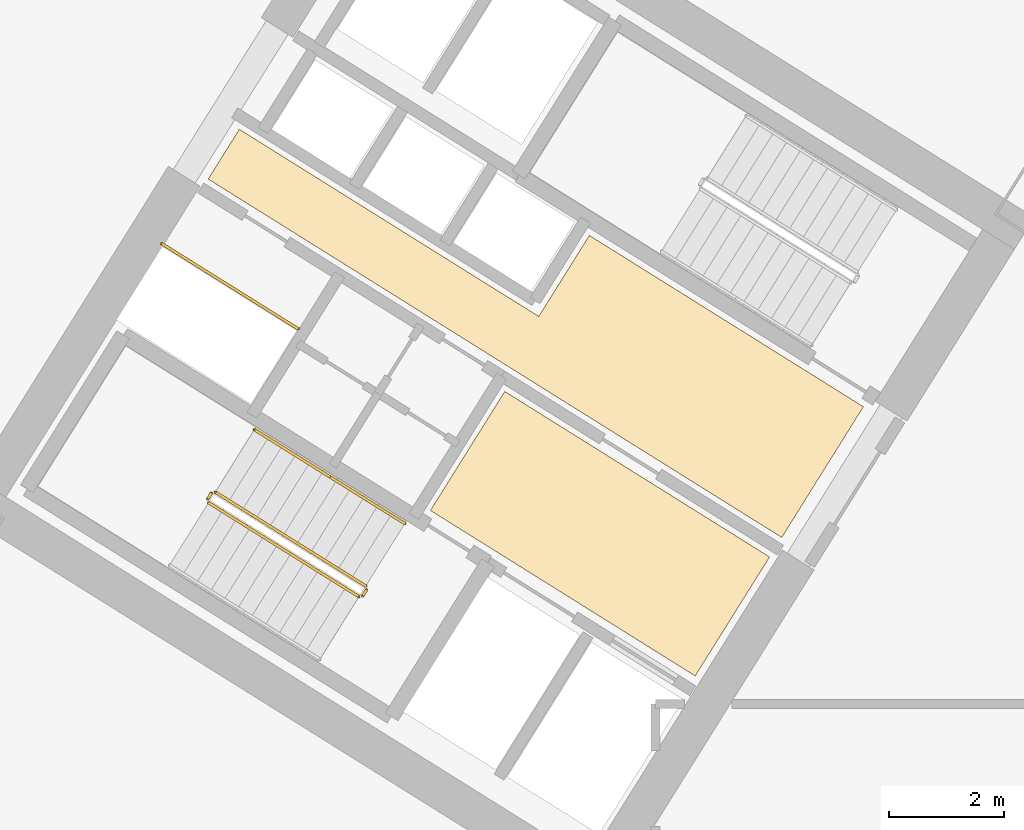
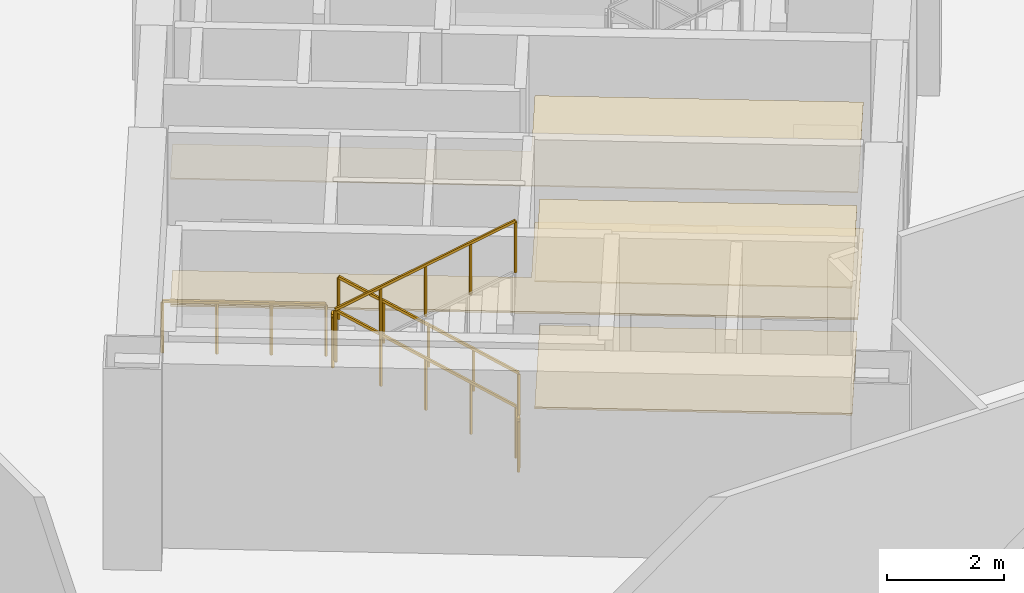
# One storey, part 18 of 22: 7 railings, 4 coverings.
"""IFC4 building model written with IfcOpenShell, lengths in metres."""

from ifc_helpers import new_model, si_unit, direction, frame, origin, origin_2d, place, context, subcontext, project, spatial, polyline, rectangle, outline, extrude, source, transform, mapped, material, layer, layer_set, type_object, element, save


model = new_model("IFC4")

# Units and contexts
model_context = context("Model", 3, precision=1e-05, world=origin(), true_north=direction((0.0, 1.0)))
body_context = subcontext(model_context, "Body", "Model", "MODEL_VIEW")
ifc_project = project(units=[si_unit("LENGTHUNIT", "METRE"), si_unit("AREAUNIT", "SQUARE_METRE"), si_unit("VOLUMEUNIT", "CUBIC_METRE"), si_unit("PLANEANGLEUNIT", "RADIAN"), si_unit("MASSUNIT", "GRAM", prefix="KILO")], contexts=[model_context])

# Site, building, storey
site_placement = place(None, origin())
site = spatial("IfcSite", under=ifc_project, at=site_placement, CompositionType="ELEMENT")
building_placement = place(site_placement, origin())
building = spatial("IfcBuilding", under=site, at=building_placement, Name="Tlacorven Tower", CompositionType="ELEMENT")
storey_placement = place(building_placement, frame((0.0, 0.0, 14.39990234375)))
storey = spatial("IfcBuildingStorey", under=building, at=storey_placement, Name="L03", CompositionType="ELEMENT", Elevation=14.39990234375)

# Coverings
ifc_material_1 = material(Name="Acoustic mineral-fibre ceiling")
ifc_layer_1 = layer(ifc_material_1, 0.02490234375)
ifc_layer_set_1 = layer_set([ifc_layer_1], Name="Acoustic mineral-fibre ceiling")
covering_type_1 = type_object("IfcCoveringType", Name="CV-CLG-ACST", PredefinedType="CEILING", material=ifc_layer_set_1)
covering_1_placement = place(storey_placement, frame((0.0, 0.0, 2.650146484375)))
element("IfcCovering", 1, at=covering_1_placement, inside=storey, type_object=covering_type_1, Name="L03 Acoustic Suspended Ceiling 1", PredefinedType="CEILING", context=body_context, shape_type="SweptSolid", body=[
    extrude(outline(polyline([(36.185302734375, 18.35595703125), (34.892333984375, 16.286865234375), (30.287353515625, 19.164306640625), (31.580322265625, 21.2333984375), (36.185302734375, 18.35595703125)])), origin(), (0.0, 0.0, 1.0), 0.02490234375),
])
covering_2_placement = place(storey_placement, frame((0.0, 0.0, 2.650146484375)))
element("IfcCovering", 2, at=covering_2_placement, inside=storey, type_object=covering_type_1, Name="L03 Acoustic Suspended Ceiling 2", PredefinedType="CEILING", context=body_context, shape_type="SweptSolid", body=[
    extrude(outline(polyline([(37.8173828125, 20.968017578125), (36.397216796875, 18.6953125), (26.424072265625, 24.927001953125), (26.964599609375, 25.7919921875), (32.171630859375, 22.538330078125), (33.05126953125, 23.946044921875), (37.8173828125, 20.968017578125)])), origin(), (0.0, 0.0, 1.0), 0.02490234375),
])
ifc_material_2 = material(Name="Terrazzo and ceramic flooring")
ifc_layer_2 = layer(ifc_material_2, 0.0400390625)
ifc_layer_set_2 = layer_set([ifc_layer_2], Name="Terrazzo and ceramic flooring")
covering_type_2 = type_object("IfcCoveringType", Name="CV-FLR-TERZ", PredefinedType="FLOORING", material=ifc_layer_set_2)
covering_3_placement = place(storey_placement, origin())
element("IfcCovering", 3, at=covering_3_placement, inside=storey, type_object=covering_type_2, Name="L03 Terrazzo Floor Finish 1", PredefinedType="FLOORING", context=body_context, shape_type="SweptSolid", body=[
    extrude(outline(polyline([(36.185302734375, 18.35595703125), (34.892333984375, 16.286865234375), (30.287353515625, 19.164306640625), (31.580322265625, 21.2333984375), (36.185302734375, 18.35595703125)])), origin(), (0.0, 0.0, 1.0), 0.0400390625),
])
covering_4_placement = place(storey_placement, origin())
element("IfcCovering", 4, at=covering_4_placement, inside=storey, type_object=covering_type_2, Name="L03 Terrazzo Floor Finish 2", PredefinedType="FLOORING", context=body_context, shape_type="SweptSolid", body=[
    extrude(outline(polyline([(37.8173828125, 20.968017578125), (36.397216796875, 18.6953125), (26.424072265625, 24.927001953125), (26.964599609375, 25.7919921875), (32.171630859375, 22.538330078125), (33.05126953125, 23.946044921875), (37.8173828125, 20.968017578125)])), origin(), (0.0, 0.0, 1.0), 0.0400390625),
])

# Railings
ifc_material_3 = material(Name="Aluminium and painted steel balustrade", Category="steel")
railing_type_1 = type_object("IfcRailingType", Name="RL-GRD-1100", PredefinedType="GUARDRAIL", material=ifc_material_3)
shared_shape_1 = source(origin(), body_context, "Body", "SweptSolid", [
    extrude(rectangle(XDim=0.048095703125, YDim=0.048095703125, at=origin_2d()), frame((0.0, 0.0, 1.076171875), z_axis=(-0.848091358275, 0.529850024081, 0.0), x_axis=(-0.529850024081, -0.848091358275, 0.0)), (0.0, 0.0, 1.0), 2.800048828125),
    extrude(rectangle(XDim=0.0419921875, YDim=0.0419921875, at=origin_2d()), origin(), (0.0, 0.0, 1.0), 1.052001953125),
    extrude(rectangle(XDim=0.0419921875, YDim=0.0419921875, at=origin_2d()), frame((-0.79150390625, 0.49462890625, 0.0)), (0.0, 0.0, 1.0), 1.052001953125),
    extrude(rectangle(XDim=0.0419921875, YDim=0.0419921875, at=origin_2d()), frame((-1.583251953125, 0.989013671875, 0.0)), (0.0, 0.0, 1.0), 1.052001953125),
    extrude(rectangle(XDim=0.0419921875, YDim=0.0419921875, at=origin_2d()), frame((-2.374755859375, 1.483642578125, 0.0)), (0.0, 0.0, 1.0), 1.052001953125),
])
railing_1_placement = place(storey_placement, frame((27.9912109375, 22.32080078125, 0.0)))
element("IfcRailing", 5, at=railing_1_placement, inside=storey, type_object=railing_type_1, Name="L03 Electrical Riser W Shaft Guard 1", PredefinedType="GUARDRAIL", context=body_context, shape_type="MappedRepresentation", body=[
    mapped(shared_shape_1, transform((0.0, 0.0, 0.0), scale=1.0)),
])
shared_shape_2 = source(origin(), body_context, "Body", "SweptSolid", [
    extrude(rectangle(XDim=0.048095703125, YDim=0.048095703125, at=origin_2d()), frame((0.0, 0.0, 1.076171875), z_axis=(-0.529084052582, -0.848569422795, 0.0), x_axis=(0.848569422795, -0.529084052582, 0.0)), (0.0, 0.0, 1.0), 0.119873046875),
    extrude(rectangle(XDim=0.0419921875, YDim=0.0419921875, at=origin_2d()), origin(), (0.0, 0.0, 1.0), 1.052001953125),
    extrude(rectangle(XDim=0.0419921875, YDim=0.0419921875, at=origin_2d()), frame((-0.0634765625, -0.101806640625, 0.0)), (0.0, 0.0, 1.0), 1.052001953125),
])
for number, where, name in (
    (6, (26.479736328125, 19.468017578125, 2.10009765625), "L03 ST-W1 stair guard 2"),
    (7, (29.176513671875, 17.782958984375, 0.0), "L03 ST-W1 stair guard 4"),
):
    element("IfcRailing", number, at=place(storey_placement, frame(where)), inside=storey, type_object=railing_type_1, Name=name, PredefinedType="GUARDRAIL", context=body_context, shape_type="MappedRepresentation", body=[
        mapped(shared_shape_2, transform((0.0, 0.0, 0.0), scale=1.0)),
    ])
shared_shape_3 = source(origin(), body_context, "Body", "SweptSolid", [
    extrude(rectangle(XDim=0.048095703125, YDim=0.048095703125, at=origin_2d()), frame((0.0, 0.0, 1.076171875), z_axis=(-0.719121732904, 0.449367057811, 0.530031301547), x_axis=(-0.52992768316, -0.848042835369, 0.0)), (0.0, 0.0, 1.0), 3.6318359375),
    extrude(rectangle(XDim=0.0419921875, YDim=0.0419921875, at=origin_2d()), origin(), (0.0, 0.0, 1.0), 1.052001953125),
    extrude(rectangle(XDim=0.0419921875, YDim=0.0419921875, at=origin_2d()), frame((-0.65283203125, 0.407958984375, 0.481201171875)), (0.0, 0.0, 1.0), 1.052001953125),
    extrude(rectangle(XDim=0.0419921875, YDim=0.0419921875, at=origin_2d()), frame((-1.305908203125, 0.81591796875, 0.96240234375)), (0.0, 0.0, 1.0), 1.052001953125),
    extrude(rectangle(XDim=0.0419921875, YDim=0.0419921875, at=origin_2d()), frame((-1.958984375, 1.22412109375, 1.44384765625)), (0.0, 0.0, 1.0), 1.052001953125),
    extrude(rectangle(XDim=0.0419921875, YDim=0.0419921875, at=origin_2d()), frame((-2.61181640625, 1.632080078125, 1.925048828125)), (0.0, 0.0, 1.0), 1.052001953125),
])
railing_2_placement = place(storey_placement, frame((29.16064453125, 17.851806640625, 0.175048828125)))
element("IfcRailing", 8, at=railing_2_placement, inside=storey, type_object=railing_type_1, Name="L03 ST-W1 stair guard 1", PredefinedType="GUARDRAIL", context=body_context, shape_type="MappedRepresentation", body=[
    mapped(shared_shape_3, transform((0.0, 0.0, 0.0), scale=1.0)),
])
shared_shape_4 = source(origin(), body_context, "Body", "SweptSolid", [
    extrude(rectangle(XDim=0.048095703125, YDim=0.048095703125, at=origin_2d()), frame((0.0, 0.0, 1.076171875), z_axis=(0.719154188762, -0.449345336188, 0.530005680754), x_axis=(0.52989206052, 0.848065094316, 0.0)), (0.0, 0.0, 1.0), 3.632080078125),
    extrude(rectangle(XDim=0.0419921875, YDim=0.0419921875, at=origin_2d()), origin(), (0.0, 0.0, 1.0), 1.052001953125),
    extrude(rectangle(XDim=0.0419921875, YDim=0.0419921875, at=origin_2d()), frame((0.653076171875, -0.407958984375, 0.481201171875)), (0.0, 0.0, 1.0), 1.052001953125),
    extrude(rectangle(XDim=0.0419921875, YDim=0.0419921875, at=origin_2d()), frame((1.30615234375, -0.81591796875, 0.96240234375)), (0.0, 0.0, 1.0), 1.052001953125),
    extrude(rectangle(XDim=0.0419921875, YDim=0.0419921875, at=origin_2d()), frame((1.958984375, -1.22412109375, 1.44384765625)), (0.0, 0.0, 1.0), 1.052001953125),
    extrude(rectangle(XDim=0.0419921875, YDim=0.0419921875, at=origin_2d()), frame((2.612060546875, -1.632080078125, 1.925048828125)), (0.0, 0.0, 1.0), 1.052001953125),
])
railing_3_placement = place(storey_placement, frame((26.43212890625, 19.29736328125, 2.275146484375)))
element("IfcRailing", 9, at=railing_3_placement, inside=storey, type_object=railing_type_1, Name="L03 ST-W1 stair guard 3", PredefinedType="GUARDRAIL", context=body_context, shape_type="MappedRepresentation", body=[
    mapped(shared_shape_4, transform((0.0, 0.0, 0.0), scale=1.0)),
])
railing_type_2 = type_object("IfcRailingType", Name="RL-HND-0900", PredefinedType="HANDRAIL", material=ifc_material_3)
shared_shape_5 = source(origin(), body_context, "Body", "SweptSolid", [
    extrude(rectangle(XDim=0.048095703125, YDim=0.048095703125, at=origin_2d()), frame((0.0, 0.0, 0.8759765625), z_axis=(-0.719139302584, 0.449361250194, 0.530012386933), x_axis=(-0.529913446429, -0.848051731496, 0.0)), (0.0, 0.0, 1.0), 1.816162109375),
    extrude(rectangle(XDim=0.0419921875, YDim=0.0419921875, at=origin_2d()), origin(), (0.0, 0.0, 1.0), 0.851806640625),
    extrude(rectangle(XDim=0.0419921875, YDim=0.0419921875, at=origin_2d()), frame((-0.653076171875, 0.408203125, 0.4814453125)), (0.0, 0.0, 1.0), 0.851806640625),
    extrude(rectangle(XDim=0.0419921875, YDim=0.0419921875, at=origin_2d()), frame((-1.30615234375, 0.816162109375, 0.962646484375)), (0.0, 0.0, 1.0), 0.851806640625),
])
railing_4_placement = place(storey_placement, frame((29.839111328125, 18.937255859375, 0.175048828125)))
element("IfcRailing", 10, at=railing_4_placement, inside=storey, type_object=railing_type_2, Name="L03 ST-W1 stair handrail 1", PredefinedType="HANDRAIL", context=body_context, shape_type="MappedRepresentation", body=[
    mapped(shared_shape_5, transform((0.0, 0.0, 0.0), scale=1.0)),
])
shared_shape_6 = source(origin(), body_context, "Body", "SweptSolid", [
    extrude(rectangle(XDim=0.048095703125, YDim=0.048095703125, at=origin_2d()), frame((0.0, 0.0, 0.8759765625), z_axis=(-0.719125628956, 0.449436712956, 0.529966952579), x_axis=(-0.529984689533, -0.848007210383, 0.0)), (0.0, 0.0, 1.0), 1.81591796875),
    extrude(rectangle(XDim=0.0419921875, YDim=0.0419921875, at=origin_2d()), origin(), (0.0, 0.0, 1.0), 0.851806640625),
    extrude(rectangle(XDim=0.0419921875, YDim=0.0419921875, at=origin_2d()), frame((-0.65283203125, 0.408203125, 0.481201171875)), (0.0, 0.0, 1.0), 0.851806640625),
    extrude(rectangle(XDim=0.0419921875, YDim=0.0419921875, at=origin_2d()), frame((-1.305908203125, 0.816162109375, 0.96240234375)), (0.0, 0.0, 1.0), 0.851806640625),
])
railing_5_placement = place(storey_placement, frame((28.532958984375, 19.75341796875, 1.1376953125)))
element("IfcRailing", 11, at=railing_5_placement, inside=storey, type_object=railing_type_2, Name="L03 ST-W1 stair handrail 2", PredefinedType="HANDRAIL", context=body_context, shape_type="MappedRepresentation", body=[
    mapped(shared_shape_6, transform((0.0, 0.0, 0.0), scale=1.0)),
])

save(model, "model.ifc")
